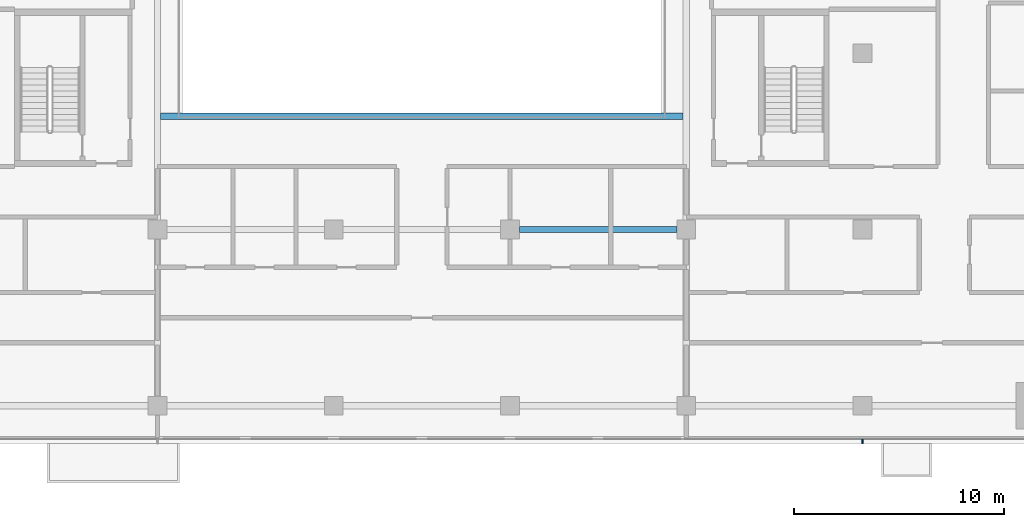
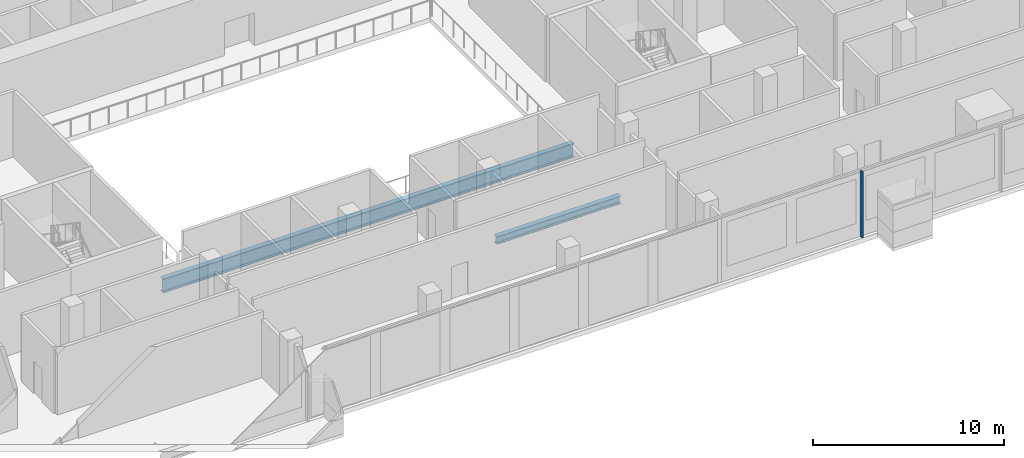
# One storey, part 4 of 23: 2 beams, 1 member, 1 element without a shape of its own.
"""IFC4 building model written with IfcOpenShell, lengths in metres."""

from ifc_helpers import new_model, si_unit, direction, frame, origin, origin_2d, place, context, subcontext, project, spatial, rectangle, i_section, extrude, material, material_profile, profile_set, type_object, element, aggregate, save


model = new_model("IFC4")

# Units and contexts
model_context = context("Model", 3, precision=1e-05, world=origin(), true_north=direction((0.0, 1.0)))
body_context = subcontext(model_context, "Body", "Model", "MODEL_VIEW")
ifc_project = project(units=[si_unit("LENGTHUNIT", "METRE"), si_unit("AREAUNIT", "SQUARE_METRE"), si_unit("VOLUMEUNIT", "CUBIC_METRE"), si_unit("PLANEANGLEUNIT", "RADIAN"), si_unit("MASSUNIT", "GRAM", prefix="KILO")], contexts=[model_context])

# Site, building, storey
site_placement = place(None, origin())
site = spatial("IfcSite", under=ifc_project, at=site_placement, CompositionType="ELEMENT")
building_placement = place(site_placement, origin())
building = spatial("IfcBuilding", under=site, at=building_placement, Name="Saffron Gate Tower", CompositionType="ELEMENT")
storey_placement = place(building_placement, frame((0.0, 0.0, 32.699951171875)))
storey = spatial("IfcBuildingStorey", under=building, at=storey_placement, Name="L06", CompositionType="ELEMENT", Elevation=32.699951171875)

# Beams
ifc_material_1 = material(Name="Structural steel S355", Category="steel")
ifc_material_profile_1 = material_profile(ifc_material_1, i_section(OverallWidth=0.300048828125, OverallDepth=0.89990234375, WebThickness=0.0185546875, FlangeThickness=0.034912109375, FilletRadius=0.030029296875, at=origin_2d()))
ifc_profile_set_1 = profile_set([ifc_material_profile_1], Name="Structural steel S355")
beam_type_1 = type_object("IfcBeamType", Name="B20 HEB 900", PredefinedType="BEAM", material=ifc_profile_set_1)
beam_1_placement = place(storey_placement, frame((75.14990234375, 45.60009765625, -0.75), z_axis=(1.0, 0.0, 0.0), x_axis=(0.0, 1.0, 0.0)))
element("IfcBeam", 1, at=beam_1_placement, inside=storey, type_object=beam_type_1, Name="B20 ATRIUM GIRDER", PredefinedType="BEAM", context=body_context, shape_type="SweptSolid", body=[
    extrude(i_section(OverallWidth=0.300048828125, OverallDepth=0.89990234375, WebThickness=0.0185546875, FlangeThickness=0.034912109375, FilletRadius=0.030029296875, at=origin_2d()), origin(), (0.0, 0.0, 1.0), 24.900146484375),
])
ifc_material_profile_2 = material_profile(ifc_material_1, i_section(OverallWidth=0.300048828125, OverallDepth=0.5, WebThickness=0.014404296875, FlangeThickness=0.028076171875, FilletRadius=0.027099609375, at=origin_2d()))
ifc_profile_set_2 = profile_set([ifc_material_profile_2], Name="Structural steel S355")
beam_type_2 = type_object("IfcBeamType", Name="B9 HEB 500", PredefinedType="BEAM", material=ifc_profile_set_2)
beam_2_placement = place(storey_placement, frame((92.25, 40.199951171875, -0.550048828125), z_axis=(1.0, 0.0, 0.0), x_axis=(0.0, 1.0, 0.0)))
element("IfcBeam", 2, at=beam_2_placement, inside=storey, type_object=beam_type_2, Name="B9 FLOOR GIRDER", PredefinedType="BEAM", context=body_context, shape_type="SweptSolid", body=[
    extrude(i_section(OverallWidth=0.300048828125, OverallDepth=0.5, WebThickness=0.014404296875, FlangeThickness=0.028076171875, FilletRadius=0.027099609375, at=origin_2d()), origin(), (0.0, 0.0, 1.0), 7.5),
])

# Curtain wall, member
ifc_material_2 = material(Name="Aluminium, bronze anodised", Category="aluminium")
curtain_wall_type = type_object("IfcCurtainWallType", Name="CWS6 curtain wall tall storeys", PredefinedType="NOTDEFINED", material=ifc_material_2)
curtain_wall_placement = place(storey_placement, origin())
curtain_wall = element("IfcCurtainWall", 3, at=curtain_wall_placement, inside=storey, type_object=curtain_wall_type, Name="CWS6 run 1", PredefinedType="NOTDEFINED")
ifc_material_profile_3 = material_profile(ifc_material_2, rectangle(XDim=0.199951171875, YDim=0.080078125, at=origin_2d()))
ifc_profile_set_3 = profile_set([ifc_material_profile_3], Name="Aluminium, bronze anodised")
member_type = type_object("IfcMemberType", Name="CWS6 mullion 80x200", PredefinedType="MULLION", material=ifc_profile_set_3)
member_placement = place(storey_placement, frame((108.60009765625, 30.10009765625, 0.0), z_axis=(0.0, 0.0, 1.0), x_axis=(0.0, 1.0, 0.0)))
member = element("IfcMember", 4, at=member_placement, type_object=member_type, Name="CWS6 mullion 8", PredefinedType="MULLION", context=body_context, shape_type="SweptSolid", body=[
    extrude(rectangle(XDim=0.199951171875, YDim=0.080078125, at=origin_2d()), origin(), (0.0, 0.0, 1.0), 4.219970703125),
])
aggregate(curtain_wall, [member])

save(model, "model.ifc")
